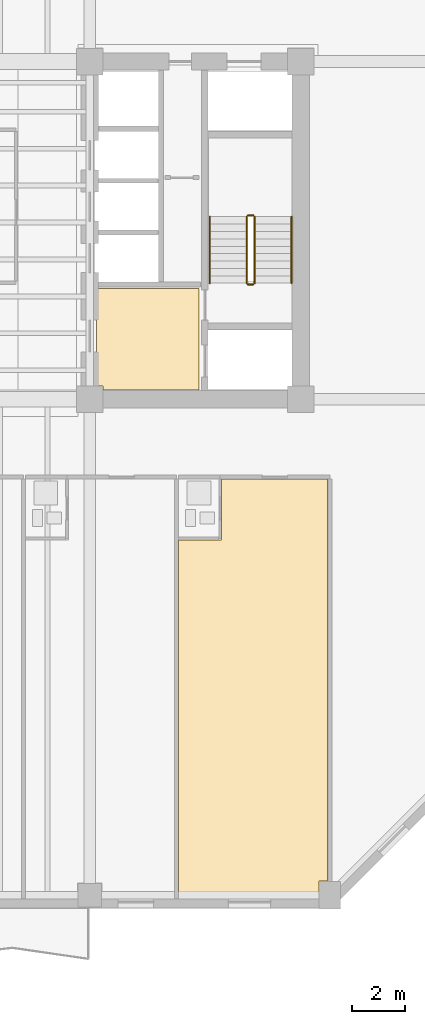
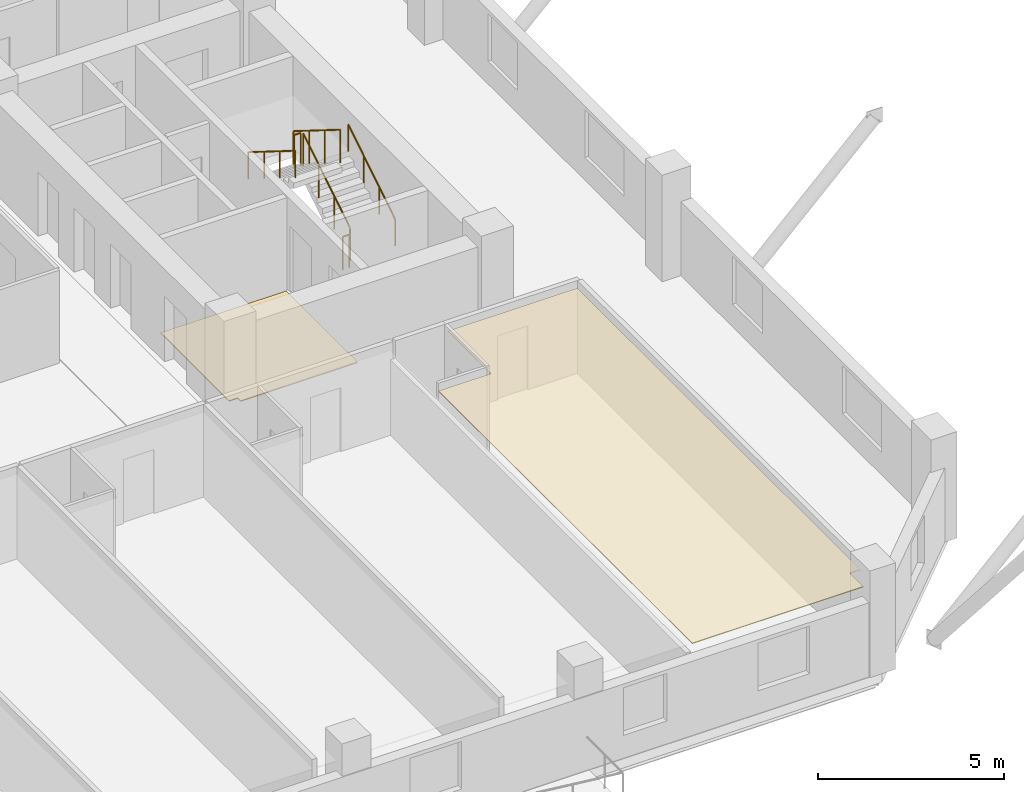
# One storey, part 12 of 14: 6 railings, 2 coverings.
"""IFC4 building model written with IfcOpenShell, lengths in metres."""

from ifc_helpers import new_model, si_unit, direction, frame, origin, origin_2d, place, context, subcontext, project, spatial, polyline, circle, outline, extrude, material, layer, layer_set, type_object, element, save


model = new_model("IFC4")

# Units and contexts
model_context = context("Model", 3, precision=1e-05, world=origin(), true_north=direction((0.0, 1.0)))
body_context = subcontext(model_context, "Body", "Model", "MODEL_VIEW")
ifc_project = project(units=[si_unit("LENGTHUNIT", "METRE"), si_unit("AREAUNIT", "SQUARE_METRE"), si_unit("VOLUMEUNIT", "CUBIC_METRE"), si_unit("PLANEANGLEUNIT", "RADIAN"), si_unit("MASSUNIT", "GRAM", prefix="KILO")], contexts=[model_context])

# Site, building, storey
site_placement = place(None, origin())
site = spatial("IfcSite", under=ifc_project, at=site_placement, CompositionType="ELEMENT")
building_placement = place(site_placement, origin())
building = spatial("IfcBuilding", under=site, at=building_placement, Name="Kranthara Brick Stack", CompositionType="ELEMENT")
storey_placement = place(building_placement, frame((0.0, 0.0, 137.800048828125)))
storey = spatial("IfcBuildingStorey", under=building, at=storey_placement, Name="L34", CompositionType="ELEMENT", Elevation=137.800048828125)

# Coverings
ifc_material_1 = material(Name="Perforated mineral-fibre acoustic ceiling tile", Category="other")
ifc_layer_1 = layer(ifc_material_1, 0.02490234375)
ifc_layer_set_1 = layer_set([ifc_layer_1], Name="Perforated mineral-fibre acoustic ceiling tile")
covering_type_1 = type_object("IfcCoveringType", Name="COV-CEIL-ACOUSTIC", PredefinedType="CEILING", material=ifc_layer_set_1)
covering_1_placement = place(storey_placement, frame((0.0, 0.0, 2.780029296875)))
element("IfcCovering", 1, at=covering_1_placement, inside=storey, type_object=covering_type_1, Name="L34 Room L34-06 Corner Junior Suite Acoustic Ceiling", PredefinedType="CEILING", context=body_context, shape_type="SweptSolid", body=[
    extrude(outline(polyline([(38.573974609375, 1.800048828125), (38.573974609375, 15.4599609375), (40.2041015625, 15.4599609375), (40.2041015625, 17.77001953125), (44.219970703125, 17.77001953125), (44.219970703125, 2.534912109375), (43.889892578125, 2.534912109375), (43.889892578125, 1.800048828125), (38.573974609375, 1.800048828125)])), origin(), (0.0, 0.0, 1.0), 0.02490234375),
])
ifc_material_2 = material(Name="Honed terrazzo and porcelain floor finish", Category="stone")
ifc_layer_2 = layer(ifc_material_2, 0.030029296875)
ifc_layer_set_2 = layer_set([ifc_layer_2], Name="Honed terrazzo and porcelain floor finish")
covering_type_2 = type_object("IfcCoveringType", Name="COV-FLOR-STONE", PredefinedType="FLOORING", material=ifc_layer_set_2)
covering_2_placement = place(storey_placement, origin())
element("IfcCovering", 2, at=covering_2_placement, inside=storey, type_object=covering_type_2, Name="L34 Lift Lobby Stone Flooring", PredefinedType="FLOORING", context=body_context, shape_type="SweptSolid", body=[
    extrude(outline(polyline([(35.449951171875, 25.0), (39.35009765625, 25.0), (39.35009765625, 21.14990234375), (35.7099609375, 21.14990234375), (35.7099609375, 21.31005859375), (35.449951171875, 21.31005859375), (35.449951171875, 25.0)])), origin(), (0.0, 0.0, 1.0), 0.030029296875),
])

# Railings
ifc_material_3 = material(Name="Painted galvanized steel stair guardrail", Category="steel")
railing_type_1 = type_object("IfcRailingType", Name="RL-STAIR-GUARD-1100", PredefinedType="GUARDRAIL", material=ifc_material_3)
railing_1_placement = place(storey_placement, frame((41.449951171875, 25.199951171875, 0.175048828125)))
element("IfcRailing", 3, at=railing_1_placement, inside=storey, type_object=railing_type_1, Name="L34 ST02 stair guard 1", PredefinedType="GUARDRAIL", context=body_context, shape_type="SweptSolid", body=[
    extrude(circle(Radius=0.02392578125, at=origin_2d()), frame((0.0, 0.0, 1.076171875), z_axis=(0.0, 0.848007534815, 0.529984170421), x_axis=(-1.0, 0.0, 0.0)), (0.0, 0.0, 1.0), 2.9716796875),
    extrude(circle(Radius=0.02099609375, at=origin_2d()), origin(), (0.0, 0.0, 1.0), 1.052001953125),
    extrude(circle(Radius=0.02099609375, at=origin_2d()), frame((0.0, 0.840087890625, 0.52490234375)), (0.0, 0.0, 1.0), 1.052001953125),
    extrude(circle(Radius=0.02099609375, at=origin_2d()), frame((0.0, 1.679931640625, 1.050048828125)), (0.0, 0.0, 1.0), 1.052001953125),
    extrude(circle(Radius=0.02099609375, at=origin_2d()), frame((0.0, 2.52001953125, 1.574951171875)), (0.0, 0.0, 1.0), 1.052001953125),
])
railing_2_placement = place(storey_placement, frame((41.39990234375, 27.77001953125, 1.75)))
element("IfcRailing", 4, at=railing_2_placement, inside=storey, type_object=railing_type_1, Name="L34 ST02 stair guard 2", PredefinedType="GUARDRAIL", context=body_context, shape_type="SweptSolid", body=[
    extrude(circle(Radius=0.02392578125, at=origin_2d()), frame((0.0, 0.0, 1.076171875), z_axis=(-1.0, 0.0, 0.0), x_axis=(0.0, -1.0, 0.0)), (0.0, 0.0, 1.0), 0.199951171875),
    extrude(circle(Radius=0.02099609375, at=origin_2d()), origin(), (0.0, 0.0, 1.0), 1.052001953125),
    extrude(circle(Radius=0.02099609375, at=origin_2d()), frame((-0.199951171875, 0.0, 0.0)), (0.0, 0.0, 1.0), 1.052001953125),
])
railing_3_placement = place(storey_placement, frame((41.14990234375, 27.719970703125, 1.925048828125)))
element("IfcRailing", 5, at=railing_3_placement, inside=storey, type_object=railing_type_1, Name="L34 ST02 stair guard 3", PredefinedType="GUARDRAIL", context=body_context, shape_type="SweptSolid", body=[
    extrude(circle(Radius=0.02392578125, at=origin_2d()), frame((0.0, 0.0, 1.076171875), z_axis=(0.0, -0.848007534815, 0.529984170421), x_axis=(1.0, 0.0, 0.0)), (0.0, 0.0, 1.0), 2.9716796875),
    extrude(circle(Radius=0.02099609375, at=origin_2d()), origin(), (0.0, 0.0, 1.0), 1.052001953125),
    extrude(circle(Radius=0.02099609375, at=origin_2d()), frame((0.0, -0.840087890625, 0.52490234375)), (0.0, 0.0, 1.0), 1.052001953125),
    extrude(circle(Radius=0.02099609375, at=origin_2d()), frame((0.0, -1.679931640625, 1.050048828125)), (0.0, 0.0, 1.0), 1.052001953125),
    extrude(circle(Radius=0.02099609375, at=origin_2d()), frame((0.0, -2.52001953125, 1.574951171875)), (0.0, 0.0, 1.0), 1.052001953125),
])
railing_4_placement = place(storey_placement, frame((41.39990234375, 25.14990234375, 0.0)))
element("IfcRailing", 6, at=railing_4_placement, inside=storey, type_object=railing_type_1, Name="L34 ST02 stair guard 4", PredefinedType="GUARDRAIL", context=body_context, shape_type="SweptSolid", body=[
    extrude(circle(Radius=0.02392578125, at=origin_2d()), frame((0.0, 0.0, 1.076171875), z_axis=(-1.0, 0.0, 0.0), x_axis=(0.0, -1.0, 0.0)), (0.0, 0.0, 1.0), 0.199951171875),
    extrude(circle(Radius=0.02099609375, at=origin_2d()), origin(), (0.0, 0.0, 1.0), 1.052001953125),
    extrude(circle(Radius=0.02099609375, at=origin_2d()), frame((-0.199951171875, 0.0, 0.0)), (0.0, 0.0, 1.0), 1.052001953125),
])
ifc_material_4 = material(Name="Brushed stainless steel tubular handrail", Category="steel")
railing_type_2 = type_object("IfcRailingType", Name="RL-STAIR-HAND-900", PredefinedType="HANDRAIL", material=ifc_material_4)
railing_5_placement = place(storey_placement, frame((42.85009765625, 25.199951171875, 0.175048828125)))
element("IfcRailing", 7, at=railing_5_placement, inside=storey, type_object=railing_type_2, Name="L34 ST02 stair handrail 1", PredefinedType="HANDRAIL", context=body_context, shape_type="SweptSolid", body=[
    extrude(circle(Radius=0.02392578125, at=origin_2d()), frame((0.0, 0.0, 0.8759765625), z_axis=(0.0, 0.848007534815, 0.529984170421), x_axis=(-1.0, 0.0, 0.0)), (0.0, 0.0, 1.0), 2.9716796875),
    extrude(circle(Radius=0.02099609375, at=origin_2d()), origin(), (0.0, 0.0, 1.0), 0.851806640625),
    extrude(circle(Radius=0.02099609375, at=origin_2d()), frame((0.0, 0.840087890625, 0.52490234375)), (0.0, 0.0, 1.0), 0.851806640625),
    extrude(circle(Radius=0.02099609375, at=origin_2d()), frame((0.0, 1.679931640625, 1.050048828125)), (0.0, 0.0, 1.0), 0.851806640625),
    extrude(circle(Radius=0.02099609375, at=origin_2d()), frame((0.0, 2.52001953125, 1.574951171875)), (0.0, 0.0, 1.0), 0.851806640625),
])
railing_6_placement = place(storey_placement, frame((39.75, 27.719970703125, 1.925048828125)))
element("IfcRailing", 8, at=railing_6_placement, inside=storey, type_object=railing_type_2, Name="L34 ST02 stair handrail 2", PredefinedType="HANDRAIL", context=body_context, shape_type="SweptSolid", body=[
    extrude(circle(Radius=0.02392578125, at=origin_2d()), frame((0.0, 0.0, 0.8759765625), z_axis=(0.0, -0.848007534815, 0.529984170421), x_axis=(1.0, 0.0, 0.0)), (0.0, 0.0, 1.0), 2.9716796875),
    extrude(circle(Radius=0.02099609375, at=origin_2d()), origin(), (0.0, 0.0, 1.0), 0.851806640625),
    extrude(circle(Radius=0.02099609375, at=origin_2d()), frame((0.0, -0.840087890625, 0.52490234375)), (0.0, 0.0, 1.0), 0.851806640625),
    extrude(circle(Radius=0.02099609375, at=origin_2d()), frame((0.0, -1.679931640625, 1.050048828125)), (0.0, 0.0, 1.0), 0.851806640625),
    extrude(circle(Radius=0.02099609375, at=origin_2d()), frame((0.0, -2.52001953125, 1.574951171875)), (0.0, 0.0, 1.0), 0.851806640625),
])

save(model, "model.ifc")
